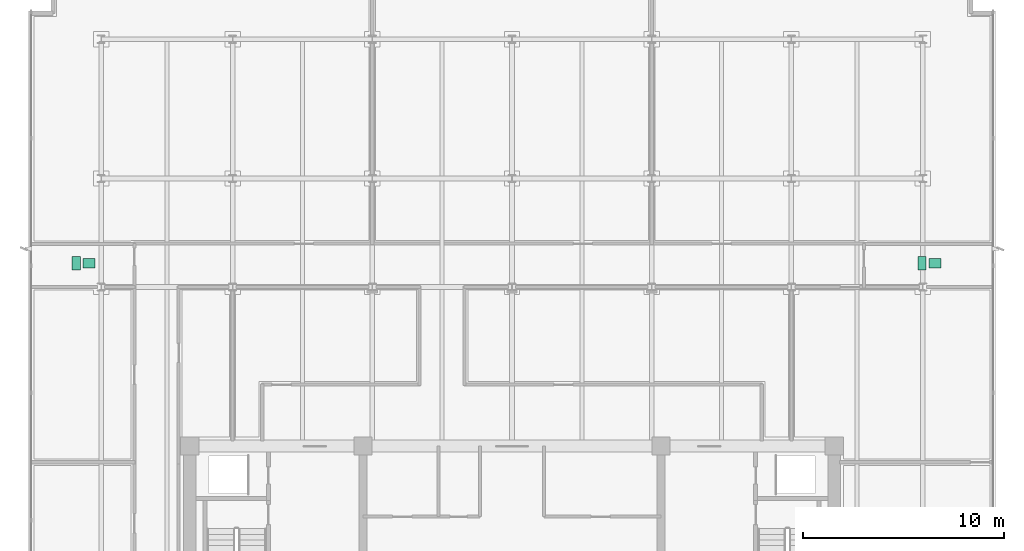
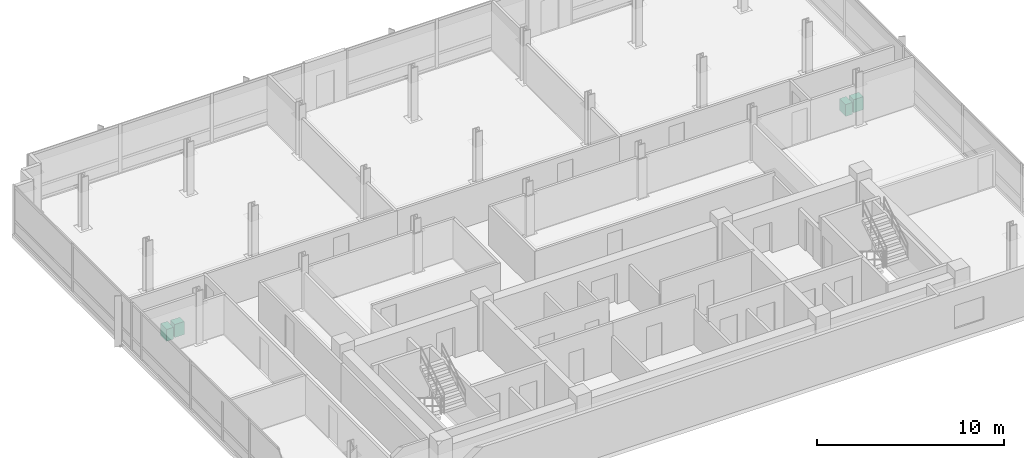
# One storey, part 15 of 15: 4 sanitary terminals.
"""IFC4 building model written with IfcOpenShell, lengths in metres."""

from ifc_helpers import new_model, si_unit, direction, frame, origin, origin_2d, place, context, subcontext, project, spatial, rectangle, extrude, material, type_object, element, save


model = new_model("IFC4")

# Units and contexts
model_context = context("Model", 3, precision=1e-05, world=origin(), true_north=direction((0.0, 1.0)))
body_context = subcontext(model_context, "Body", "Model", "MODEL_VIEW")
ifc_project = project(units=[si_unit("LENGTHUNIT", "METRE"), si_unit("AREAUNIT", "SQUARE_METRE"), si_unit("VOLUMEUNIT", "CUBIC_METRE"), si_unit("PLANEANGLEUNIT", "RADIAN"), si_unit("MASSUNIT", "GRAM", prefix="KILO")], contexts=[model_context])

# Site, building, storey
site_placement = place(None, origin())
site = spatial("IfcSite", under=ifc_project, at=site_placement, CompositionType="ELEMENT")
building_placement = place(site_placement, origin())
building = spatial("IfcBuilding", under=site, at=building_placement, Name="Solmavex Isthmus Hotel", CompositionType="ELEMENT")
storey_placement = place(building_placement, frame((0.0, 0.0, 273.0)))
storey = spatial("IfcBuildingStorey", under=building, at=storey_placement, Name="L74", CompositionType="ELEMENT", Elevation=273.0)

# Sanitary terminals
ifc_material = material(Name="Vitreous china ceramic", Category="ceramic")
sanitary_terminal_type_1 = type_object("IfcSanitaryTerminalType", Name="SAN-BASIN", PredefinedType="WASHHANDBASIN", material=ifc_material)
for number, where, z_axis, x_axis, name in (
    (1, (-20.9951171875, 6.577392578125, 0.0), (0.0, 0.0, 1.0), (1.0, 0.0, 0.0), "Vanity Washbasin L74-377"),
    (2, (20.99609375, 6.577392578125, 0.0), (0.0, 0.0, 1.0), (1.0, 0.0, 0.0), "Vanity Washbasin L74-378"),
):
    element("IfcSanitaryTerminal", number, at=place(storey_placement, frame(where, z_axis=z_axis, x_axis=x_axis)), inside=storey, type_object=sanitary_terminal_type_1, Name=name, PredefinedType="WASHHANDBASIN", context=body_context, shape_type="SweptSolid", body=[
        extrude(rectangle(XDim=0.60009765625, YDim=0.47998046875, at=origin_2d()), origin(), (0.0, 0.0, 1.0), 0.85009765625),
    ])
sanitary_terminal_type_2 = type_object("IfcSanitaryTerminalType", Name="SAN-WC-SUITE", PredefinedType="TOILETPAN", material=ifc_material)
for number, where, z_axis, x_axis, name in (
    (3, (-21.635009765625, 6.577392578125, 0.0), (0.0, 0.0, 1.0), (1.0, 0.0, 0.0), "Water Closet L74-377"),
    (4, (20.35595703125, 6.577392578125, 0.0), (0.0, 0.0, 1.0), (1.0, 0.0, 0.0), "Water Closet L74-378"),
):
    element("IfcSanitaryTerminal", number, at=place(storey_placement, frame(where, z_axis=z_axis, x_axis=x_axis)), inside=storey, type_object=sanitary_terminal_type_2, Name=name, PredefinedType="TOILETPAN", context=body_context, shape_type="SweptSolid", body=[
        extrude(rectangle(XDim=0.419921875, YDim=0.64990234375, at=origin_2d()), origin(), (0.0, 0.0, 1.0), 0.780029296875),
    ])

save(model, "model.ifc")
